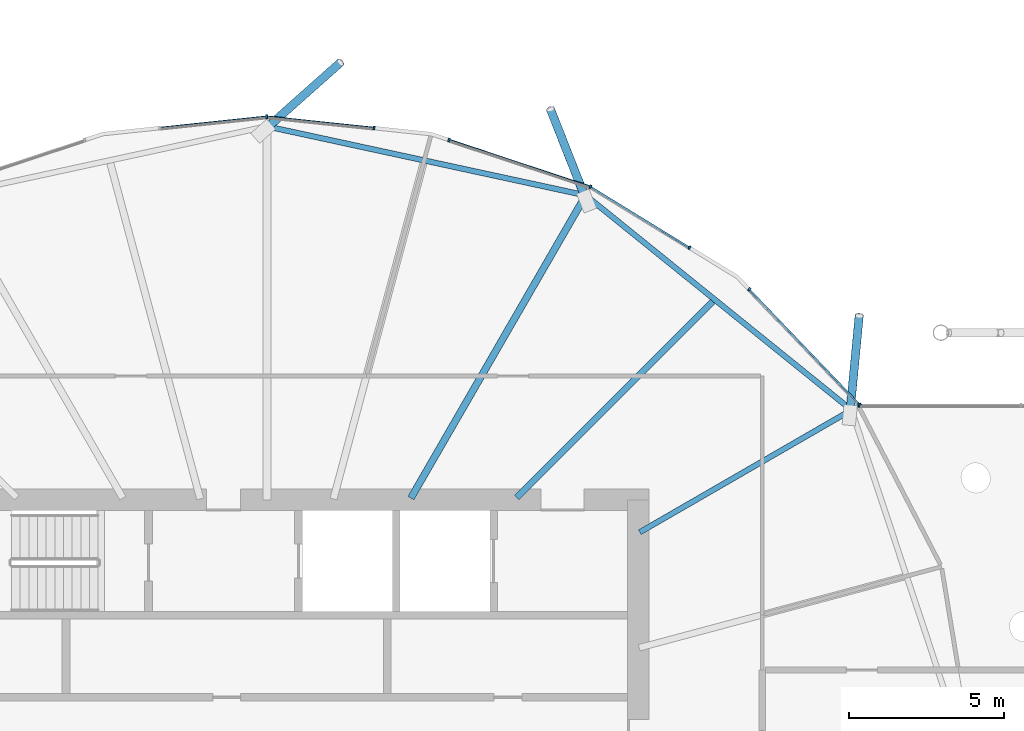
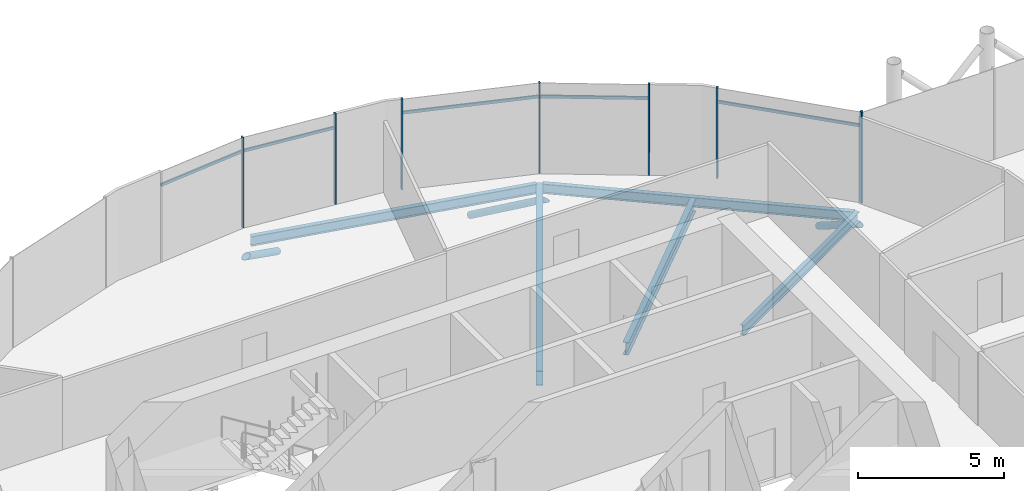
# One storey, part 10 of 39: 16 members, 5 beams, 2 elements without a shape of their own.
"""IFC4 building model written with IfcOpenShell, lengths in metres."""

from ifc_helpers import new_model, si_unit, direction, frame, origin, origin_2d, place, context, subcontext, project, spatial, rectangle, hollow_circle, i_section, extrude, clip, halfspace, material, material_profile, profile_set, type_object, element, aggregate, save


model = new_model("IFC4")

# Units and contexts
model_context = context("Model", 3, precision=1e-05, world=origin(), true_north=direction((0.0, 1.0)))
body_context = subcontext(model_context, "Body", "Model", "MODEL_VIEW")
ifc_project = project(units=[si_unit("LENGTHUNIT", "METRE"), si_unit("AREAUNIT", "SQUARE_METRE"), si_unit("VOLUMEUNIT", "CUBIC_METRE"), si_unit("PLANEANGLEUNIT", "RADIAN"), si_unit("MASSUNIT", "GRAM", prefix="KILO")], contexts=[model_context])

# Site, building, storey
site_placement = place(None, origin())
site = spatial("IfcSite", under=ifc_project, at=site_placement, CompositionType="ELEMENT")
building_placement = place(site_placement, origin())
building = spatial("IfcBuilding", under=site, at=building_placement, Name="Rimbun Link Towers", CompositionType="ELEMENT")
storey_placement = place(building_placement, frame((0.0, 0.0, 139.199951171875)))
storey = spatial("IfcBuildingStorey", under=building, at=storey_placement, Name="L33", CompositionType="ELEMENT", Elevation=139.199951171875)

# Curtain wall, members
ifc_material_1 = material(Name="Aluminium 6063-T6 and low-iron glass", Category="aluminium")
curtain_wall_type = type_object("IfcCurtainWallType", Name="CW4 link block wall", PredefinedType="NOTDEFINED", material=ifc_material_1)
curtain_wall_1_placement = place(storey_placement, origin())
curtain_wall_1 = element("IfcCurtainWall", 1, at=curtain_wall_1_placement, inside=storey, type_object=curtain_wall_type, Name="CW4 L33 T1", PredefinedType="NOTDEFINED")
ifc_material_2 = material(Name="Aluminium 6063-T6", Category="aluminium")
ifc_material_profile_1 = material_profile(ifc_material_2, rectangle(XDim=0.1201171875, YDim=0.06005859375, at=origin_2d()), Name="MULLION 60X120")
ifc_profile_set_1 = profile_set([ifc_material_profile_1], Name="Aluminium 6063-T6")
member_type_1 = type_object("IfcMemberType", Name="CW4 mullion 60X120", PredefinedType="MULLION", material=ifc_profile_set_1)
member_1_placement = place(storey_placement, frame((-16.171875, 14.798583984375, 0.0), z_axis=(0.0, 0.0, 1.0), x_axis=(0.721858090698, 0.692041109252, 0.0)))
member_1 = element("IfcMember", 2, at=member_1_placement, type_object=member_type_1, Name="CW4 mullion", PredefinedType="MULLION", context=body_context, shape_type="SweptSolid", body=[
    extrude(rectangle(XDim=0.1201171875, YDim=0.06005859375, at=origin_2d()), origin(), (0.0, 0.0, 1.0), 3.800048828125),
])
member_2_placement = place(storey_placement, frame((-12.599853515625, 11.07275390625, 0.0), z_axis=(0.0, 0.0, 1.0), x_axis=(0.721858090698, 0.692041109252, 0.0)))
member_2 = element("IfcMember", 3, at=member_2_placement, type_object=member_type_1, Name="CW4 mullion", PredefinedType="MULLION", context=body_context, shape_type="SweptSolid", body=[
    extrude(rectangle(XDim=0.1201171875, YDim=0.06005859375, at=origin_2d()), origin(), (0.0, 0.0, 1.0), 3.800048828125),
])
member_3_placement = place(storey_placement, frame((-21.29931640625, 18.11181640625, 0.0), z_axis=(0.0, 0.0, 1.0), x_axis=(0.421697332152, 0.906736654192, 0.0)))
member_3 = element("IfcMember", 4, at=member_3_placement, type_object=member_type_1, Name="CW4 mullion", PredefinedType="MULLION", context=body_context, shape_type="SweptSolid", body=[
    extrude(rectangle(XDim=0.1201171875, YDim=0.06005859375, at=origin_2d()), origin(), (0.0, 0.0, 1.0), 3.800048828125),
])
member_4_placement = place(storey_placement, frame((-18.098388671875, 16.147216796875, 0.0), z_axis=(0.0, 0.0, 1.0), x_axis=(0.523225378089, 0.852194346217, 0.0)))
member_4 = element("IfcMember", 5, at=member_4_placement, type_object=member_type_1, Name="CW4 mullion", PredefinedType="MULLION", context=body_context, shape_type="SweptSolid", body=[
    extrude(rectangle(XDim=0.1201171875, YDim=0.06005859375, at=origin_2d()), origin(), (0.0, 0.0, 1.0), 3.800048828125),
])
member_5_placement = place(storey_placement, frame((-25.867431640625, 19.626220703125, 0.0), z_axis=(0.0, 0.0, 1.0), x_axis=(0.314567961741, 0.949234953763, 0.0)))
member_5 = element("IfcMember", 6, at=member_5_placement, type_object=member_type_1, Name="CW4 mullion", PredefinedType="MULLION", context=body_context, shape_type="SweptSolid", body=[
    extrude(rectangle(XDim=0.1201171875, YDim=0.06005859375, at=origin_2d()), origin(), (0.0, 0.0, 1.0), 3.800048828125),
])
member_6_placement = place(storey_placement, frame((-31.75, 20.37548828125, 0.0), z_axis=(0.0, 0.0, 1.0), x_axis=(0.0, 1.0, 0.0)))
member_6 = element("IfcMember", 7, at=member_6_placement, type_object=member_type_1, Name="CW4 mullion", PredefinedType="MULLION", context=body_context, shape_type="SweptSolid", body=[
    extrude(rectangle(XDim=0.1201171875, YDim=0.06005859375, at=origin_2d()), origin(), (0.0, 0.0, 1.0), 3.800048828125),
])
member_7_placement = place(storey_placement, frame((-28.28955078125, 20.011474609375, 0.0), z_axis=(0.0, 0.0, 1.0), x_axis=(0.104745411125, 0.994499069305, 0.0)))
member_7 = element("IfcMember", 8, at=member_7_placement, type_object=member_type_1, Name="CW4 mullion", PredefinedType="MULLION", context=body_context, shape_type="SweptSolid", body=[
    extrude(rectangle(XDim=0.1201171875, YDim=0.06005859375, at=origin_2d()), origin(), (0.0, 0.0, 1.0), 3.800048828125),
])

# Curtain wall, member
curtain_wall_2_placement = place(storey_placement, origin())
curtain_wall_2 = element("IfcCurtainWall", 9, at=curtain_wall_2_placement, inside=storey, type_object=curtain_wall_type, Name="CW4 L33 LB", PredefinedType="NOTDEFINED")
member_8_placement = place(storey_placement, frame((-12.626953125, 11.06005859375, 0.0), z_axis=(0.0, 0.0, 1.0), x_axis=(0.0, 1.0, 0.0)))
member_8 = element("IfcMember", 10, at=member_8_placement, type_object=member_type_1, Name="CW4 mullion", PredefinedType="MULLION", context=body_context, shape_type="SweptSolid", body=[
    extrude(rectangle(XDim=0.1201171875, YDim=0.06005859375, at=origin_2d()), origin(), (0.0, 0.0, 1.0), 3.800048828125),
])
aggregate(curtain_wall_2, [member_8])

# Member
ifc_material_3 = material(Name="Aluminium 6063-T6", Category="aluminium")
ifc_material_profile_2 = material_profile(ifc_material_3, rectangle(XDim=0.06005859375, YDim=0.1201171875, at=origin_2d()), Name="TRANSOM 60X120")
ifc_profile_set_2 = profile_set([ifc_material_profile_2], Name="Aluminium 6063-T6")
member_type_2 = type_object("IfcMemberType", Name="CW4 transom 60X120", PredefinedType="USERDEFINED", material=ifc_profile_set_2)
member_9_placement = place(storey_placement, frame((-16.152587890625, 14.775634765625, 3.199951171875), z_axis=(0.692042551771, -0.72185670776, 0.0), x_axis=(0.72185670776, 0.692042551771, 0.0)))
member_9 = element("IfcMember", 11, at=member_9_placement, type_object=member_type_2, Name="CW4 transom", ObjectType="TRANSOM", PredefinedType="USERDEFINED", context=body_context, shape_type="SweptSolid", body=[
    extrude(rectangle(XDim=0.06005859375, YDim=0.1201171875, at=origin_2d()), origin(), (0.0, 0.0, 1.0), 5.1015625),
])

member_10_placement = place(storey_placement, frame((-21.2685546875, 18.09130859375, 3.199951171875), z_axis=(0.85218054514, -0.523247855691, 0.0), x_axis=(0.523247855691, 0.85218054514, 0.0)))
member_10 = element("IfcMember", 12, at=member_10_placement, type_object=member_type_2, Name="CW4 transom", ObjectType="TRANSOM", PredefinedType="USERDEFINED", context=body_context, shape_type="SweptSolid", body=[
    extrude(rectangle(XDim=0.06005859375, YDim=0.1201171875, at=origin_2d()), origin(), (0.0, 0.0, 1.0), 3.688720703125),
])

member_11_placement = place(storey_placement, frame((-25.839599609375, 19.614990234375, 3.199951171875), z_axis=(0.949232304469, -0.314575956093, 0.0), x_axis=(0.314575956093, 0.949232304469, 0.0)))
member_11 = element("IfcMember", 13, at=member_11_placement, type_object=member_type_2, Name="CW4 transom", ObjectType="TRANSOM", PredefinedType="USERDEFINED", context=body_context, shape_type="SweptSolid", body=[
    extrude(rectangle(XDim=0.06005859375, YDim=0.1201171875, at=origin_2d()), origin(), (0.0, 0.0, 1.0), 4.745849609375),
])

member_12_placement = place(storey_placement, frame((-31.714111328125, 20.3701171875, 3.199951171875), z_axis=(0.994502317074, -0.104714570785, 0.0), x_axis=(0.104714570785, 0.994502317074, 0.0)))
member_12 = element("IfcMember", 14, at=member_12_placement, type_object=member_type_2, Name="CW4 transom", ObjectType="TRANSOM", PredefinedType="USERDEFINED", context=body_context, shape_type="SweptSolid", body=[
    extrude(rectangle(XDim=0.06005859375, YDim=0.1201171875, at=origin_2d()), origin(), (0.0, 0.0, 1.0), 3.413330078125),
])

member_13_placement = place(storey_placement, frame((-35.180419921875, 20.0126953125, 3.199951171875), z_axis=(0.994502317074, 0.104714570785, 0.0), x_axis=(-0.104714570785, 0.994502317074, 0.0)))
member_13 = element("IfcMember", 15, at=member_13_placement, type_object=member_type_2, Name="CW4 transom", ObjectType="TRANSOM", PredefinedType="USERDEFINED", context=body_context, shape_type="SweptSolid", body=[
    extrude(rectangle(XDim=0.06005859375, YDim=0.1201171875, at=origin_2d()), origin(), (0.0, 0.0, 1.0), 3.413330078125),
])

aggregate(curtain_wall_1, [member_1, member_2, member_3, member_4, member_5, member_6, member_7, member_9, member_10, member_11, member_12, member_13])

# Members
ifc_material_4 = material(Name="Steel S355J2H", Category="steel")
ifc_material_profile_3 = material_profile(ifc_material_4, hollow_circle(Radius=0.136474609375, WallThickness=0.012451171875, at=origin_2d()), Name="CHS 273x12.5")
ifc_profile_set_3 = profile_set([ifc_material_profile_3], Name="Steel S355J2H")
member_type_3 = type_object("IfcMemberType", Name="Floor edge link CHS 273x12.5", PredefinedType="BRACE", material=ifc_profile_set_3)
member_14_placement = place(storey_placement, frame((-12.909423828125, 10.877685546875, -0.700439453125), z_axis=(0.079120837253, 0.830999368117, -0.550617783314), x_axis=(-0.995497955132, 0.094783022365, 0.0)))
element("IfcMember", 16, at=member_14_placement, inside=storey, type_object=member_type_3, Name="Floor edge link T1 L33 02", PredefinedType="BRACE", context=body_context, shape_type="Clipping", body=[
    clip(extrude(hollow_circle(Radius=0.136474609375, WallThickness=0.012451171875, at=origin_2d()), frame((0.0, 0.0, -0.43212890625)), (0.0, 0.0, 1.0), 4.137939453125), halfspace(frame((0.0, 0.0, -0.20361328125), z_axis=(0.0, 0.834757483763, -0.550617783314)), False)),
])
member_15_placement = place(storey_placement, frame((-21.47705078125, 17.793212890625, -0.89794921875), z_axis=(-0.308584727435, 0.78422385655, -0.538301410747), x_axis=(-0.930550735506, -0.366162980994, 0.0)))
element("IfcMember", 17, at=member_15_placement, inside=storey, type_object=member_type_3, Name="Floor edge link T1 L33 04", PredefinedType="BRACE", context=body_context, shape_type="Clipping", body=[
    clip(extrude(hollow_circle(Radius=0.136474609375, WallThickness=0.012451171875, at=origin_2d()), frame((0.0, 0.0, -0.44580078125)), (0.0, 0.0, 1.0), 4.0615234375), halfspace(frame((0.0, 0.0, -0.210693359375), z_axis=(0.0, 0.8427523902, -0.538301410747)), False)),
])
member_16_placement = place(storey_placement, frame((-31.75, 20.01416015625, -0.980712890625), z_axis=(0.640453968229, 0.569627294095, -0.51511499726), x_axis=(-0.664582064056, 0.74721528366, 0.0)))
element("IfcMember", 18, at=member_16_placement, inside=storey, type_object=member_type_3, Name="Floor edge link T1 L33 06", PredefinedType="BRACE", context=body_context, shape_type="Clipping", body=[
    clip(extrude(hollow_circle(Radius=0.136474609375, WallThickness=0.012451171875, at=origin_2d()), frame((0.0, 0.0, -0.4736328125)), (0.0, 0.0, 1.0), 4.199951171875), halfspace(frame((0.0, 0.0, -0.223876953125), z_axis=(0.0, 0.857121076394, -0.51511499726)), False)),
])

# Beams
ifc_material_5 = material(Name="Steel S355J2", Category="steel")
ifc_material_profile_4 = material_profile(ifc_material_5, i_section(OverallWidth=0.177978515625, OverallDepth=0.406494140625, WebThickness=0.0078125, FlangeThickness=0.0126953125, at=origin_2d()), Name="UB 406x178x60")
ifc_profile_set_4 = profile_set([ifc_material_profile_4], Name="Steel S355J2")
beam_type_1 = type_object("IfcBeamType", Name="UB 406x178x60", PredefinedType="BEAM", material=ifc_profile_set_4)
beam_1_placement = place(storey_placement, frame((-19.70458984375, 6.954345703125, -0.383056640625), z_axis=(0.866019794698, 0.500009715097, 0.0), x_axis=(-0.500009715097, 0.866019794698, 0.0)))
element("IfcBeam", 19, at=beam_1_placement, inside=storey, type_object=beam_type_1, Name="Radial beam T1 L33 02", PredefinedType="BEAM", context=body_context, shape_type="SweptSolid", body=[
    extrude(i_section(OverallWidth=0.177978515625, OverallDepth=0.406494140625, WebThickness=0.0078125, FlangeThickness=0.0126953125, at=origin_2d()), origin(), (0.0, 0.0, 1.0), 7.896240234375),
])
beam_2_placement = place(storey_placement, frame((-12.941162109375, 10.963134765625, -0.383056640625), z_axis=(-0.77798655313, 0.628280926934, 0.0), x_axis=(-0.628280926934, -0.77798655313, 0.0)))
element("IfcBeam", 20, at=beam_2_placement, inside=storey, type_object=beam_type_1, Name="Edge beam T1 L33 02-04", PredefinedType="BEAM", context=body_context, shape_type="SweptSolid", body=[
    extrude(i_section(OverallWidth=0.177978515625, OverallDepth=0.406494140625, WebThickness=0.0078125, FlangeThickness=0.0126953125, at=origin_2d()), origin(), (0.0, 0.0, 1.0), 10.82373046875),
])
beam_3_placement = place(storey_placement, frame((-21.56982421875, 17.86181640625, -0.383056640625), z_axis=(-0.977388184386, 0.211452919162, 0.0), x_axis=(-0.211452919162, -0.977388184386, 0.0)))
element("IfcBeam", 21, at=beam_3_placement, inside=storey, type_object=beam_type_1, Name="Edge beam T1 L33 04-06", PredefinedType="BEAM", context=body_context, shape_type="SweptSolid", body=[
    extrude(i_section(OverallWidth=0.177978515625, OverallDepth=0.406494140625, WebThickness=0.0078125, FlangeThickness=0.0126953125, at=origin_2d()), origin(), (0.0, 0.0, 1.0), 10.28515625),
])
ifc_material_6 = material(Name="Steel S355J2", Category="steel")
ifc_material_profile_5 = material_profile(ifc_material_6, i_section(OverallWidth=0.209228515625, OverallDepth=0.533203125, WebThickness=0.010009765625, FlangeThickness=0.015625, at=origin_2d()), Name="UB 533x210x92")
ifc_profile_set_5 = profile_set([ifc_material_profile_5], Name="Steel S355J2")
beam_type_2 = type_object("IfcBeamType", Name="UB 533x210x92", PredefinedType="BEAM", material=ifc_profile_set_5)
beam_4_placement = place(storey_placement, frame((-23.67529296875, 8.07470703125, -0.446533203125), z_axis=(0.707106781187, 0.707106781187, 0.0), x_axis=(-0.707106781187, 0.707106781187, 0.0)))
element("IfcBeam", 22, at=beam_4_placement, inside=storey, type_object=beam_type_2, Name="Radial beam T1 L33 03", PredefinedType="BEAM", context=body_context, shape_type="SweptSolid", body=[
    extrude(i_section(OverallWidth=0.209228515625, OverallDepth=0.533203125, WebThickness=0.010009765625, FlangeThickness=0.015625, at=origin_2d()), origin(), (0.0, 0.0, 1.0), 8.951416015625),
])
ifc_material_7 = material(Name="Steel S355J2", Category="steel")
ifc_material_profile_6 = material_profile(ifc_material_7, i_section(OverallWidth=0.2275390625, OverallDepth=0.6025390625, WebThickness=0.010498046875, FlangeThickness=0.014892578125, at=origin_2d()), Name="UB 610x229x101")
ifc_profile_set_6 = profile_set([ifc_material_profile_6], Name="Steel S355J2")
beam_type_3 = type_object("IfcBeamType", Name="UB 610x229x101", PredefinedType="BEAM", material=ifc_profile_set_6)
beam_5_placement = place(storey_placement, frame((-27.097900390625, 8.057861328125, -0.481201171875), z_axis=(0.500006319009, 0.866021755472, 0.0), x_axis=(-0.866021755472, 0.500006319009, 0.0)))
element("IfcBeam", 23, at=beam_5_placement, inside=storey, type_object=beam_type_3, Name="Radial beam T1 L33 04", PredefinedType="BEAM", context=body_context, shape_type="SweptSolid", body=[
    extrude(i_section(OverallWidth=0.2275390625, OverallDepth=0.6025390625, WebThickness=0.010498046875, FlangeThickness=0.014892578125, at=origin_2d()), origin(), (0.0, 0.0, 1.0), 11.291259765625),
])

save(model, "model.ifc")
